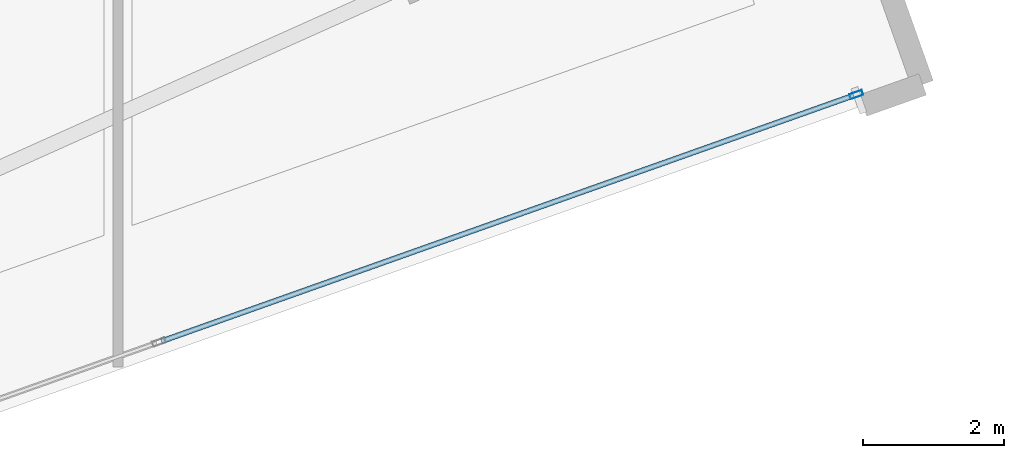
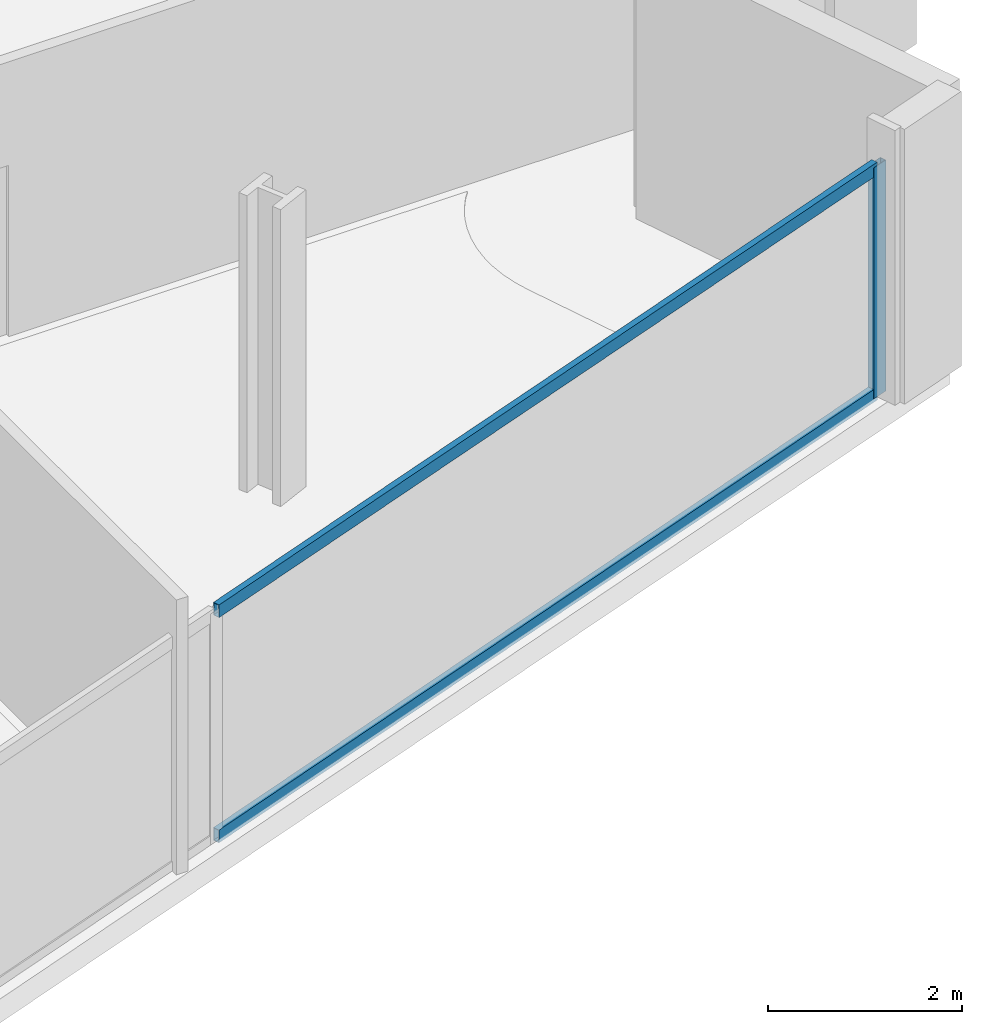
# One storey, part 10 of 33: 3 members, 1 element without a shape of its own.
"""IFC4 building model written with IfcOpenShell, lengths in metres."""

import ifcopenshell
import ifcopenshell.guid

model = None  # the IFC model being written
_history = None  # IfcOwnerHistory: only IFC2X3 demands one
_inside = {}  # id of a spatial element -> (the spatial element, [elements in it])
_under = {}  # id of a project, library or spatial element -> (it, [spatial elements below it])
_declared = {}  # id of a project -> (the project, [libraries it declares])
_typed = {}  # id of a type object -> (the type object, [elements of that type])
_made_of = {}  # id of a material, layer set ... -> (it, [elements and type objects made of it])


def new_model(schema):
    """Start an empty IFC model of exactly this schema.

    Asked for "IFC4X3", IfcOpenShell would pick the latest addendum, in which some entities
    have other attributes; the version numbers below select the first issue.
    IFC2X3 requires an IfcOwnerHistory on every rooted entity: one is made here for all.
    """
    global model, _history
    if schema == "IFC4X3":
        model = ifcopenshell.file(schema_version=(4, 3, 0, 0))
    else:
        model = ifcopenshell.file(schema=schema)
    _inside.clear()
    _under.clear()
    _declared.clear()
    _typed.clear()
    _made_of.clear()
    _history = None
    if model.schema == "IFC2X3":
        org = make("IfcOrganization", Name="unknown")
        user = make(
            "IfcPersonAndOrganization",
            ThePerson=make("IfcPerson", FamilyName="unknown"),
            TheOrganization=org,
        )
        app = make(
            "IfcApplication",
            ApplicationDeveloper=org,
            Version="unknown",
            ApplicationFullName="unknown",
            ApplicationIdentifier="unknown",
        )
        _history = make(
            "IfcOwnerHistory",
            OwningUser=user,
            OwningApplication=app,
            ChangeAction="ADDED",
            CreationDate=0,
        )
    return model


def make(cls, **values):
    """One entity of the class cls with the attributes given. An attribute that is None is left unset."""
    return model.create_entity(
        cls, **{name: value for name, value in values.items() if value is not None}
    )


def rooted(cls, **values):
    """An entity with a GlobalId (a new one), such as an element, a storey or a relation."""
    return make(cls, GlobalId=ifcopenshell.guid.new(), OwnerHistory=_history, **values)


def si_unit(unit_type, name, prefix=None):
    """IfcSIUnit, for example si_unit("LENGTHUNIT", "METRE", prefix="MILLI")."""
    return make("IfcSIUnit", UnitType=unit_type, Prefix=prefix, Name=name)


def assignment(units):
    """IfcUnitAssignment: the units of a project."""
    return None if units is None else make("IfcUnitAssignment", Units=units)


def point(xyz):
    """IfcCartesianPoint."""
    return None if xyz is None else make("IfcCartesianPoint", Coordinates=xyz)


def direction(xyz):
    """IfcDirection."""
    return None if xyz is None else make("IfcDirection", DirectionRatios=xyz)


def frame(location, z_axis=None, x_axis=None):
    """IfcAxis2Placement3D, a coordinate frame: its origin and axes. An axis left out is left unset."""
    return make(
        "IfcAxis2Placement3D",
        Location=point(location),
        Axis=direction(z_axis),
        RefDirection=direction(x_axis),
    )


def frame_2d(location, x_axis=None):
    """IfcAxis2Placement2D, a coordinate frame in the plane: its origin and x axis."""
    return make(
        "IfcAxis2Placement2D", Location=point(location), RefDirection=direction(x_axis)
    )


def origin():
    """The frame at (0, 0, 0) with its axes left unset."""
    return frame((0.0, 0.0, 0.0))


def origin_2d():
    """The frame at (0, 0) in the plane with its x axis left unset."""
    return frame_2d((0.0, 0.0))


def place(relative_to, where):
    """IfcLocalPlacement: puts the frame where relative to a parent placement (None: the world)."""
    return make(
        "IfcLocalPlacement", PlacementRelTo=relative_to, RelativePlacement=where
    )


def context(
    kind, dimensions, precision=None, world=None, true_north=None, identifier=None
):
    """IfcGeometricRepresentationContext, for example the 3D "Model" context."""
    return make(
        "IfcGeometricRepresentationContext",
        ContextIdentifier=identifier,
        ContextType=kind,
        CoordinateSpaceDimension=dimensions,
        Precision=precision,
        WorldCoordinateSystem=world,
        TrueNorth=true_north,
    )


def subcontext(parent, identifier, kind, view, scale=None):
    """IfcGeometricRepresentationSubContext, for example "Body" below "Model"."""
    return make(
        "IfcGeometricRepresentationSubContext",
        ContextIdentifier=identifier,
        ContextType=kind,
        ParentContext=parent,
        TargetScale=scale,
        TargetView=view,
    )


def project(units=None, contexts=None):
    """IfcProject with its units and contexts."""
    return rooted(
        "IfcProject",
        Name="project",
        RepresentationContexts=contexts,
        UnitsInContext=assignment(units),
    )


def spatial(cls, under=None, at=None, **own):
    """A site, building, storey or space (cls), placed at a placement, below another one or the project."""
    s = rooted(cls, ObjectPlacement=at, **own)
    if under is not None:
        _under.setdefault(under.id(), (under, []))[1].append(s)
    return s


def profile(cls, at=None, kind="AREA", **sizes):
    """A parametric profile (cls). Its sizes go by their IFC names, for example OverallWidth=200.0."""
    return make(cls, ProfileType=kind, Position=at, **sizes)


def hollow_rectangle(**sizes):
    """IfcRectangleHollowProfileDef."""
    return profile("IfcRectangleHollowProfileDef", **sizes)


def extrude(swept, where, along, depth):
    """IfcExtrudedAreaSolid: the profile swept, set in the frame where, extruded along a direction by depth."""
    return make(
        "IfcExtrudedAreaSolid",
        SweptArea=swept,
        Position=where,
        ExtrudedDirection=direction(along),
        Depth=depth,
    )


def shape(context_of_items, identifier, shape_type, items):
    """IfcShapeRepresentation: the items that make up one representation, for example the "Body"."""
    return make(
        "IfcShapeRepresentation",
        ContextOfItems=context_of_items,
        RepresentationIdentifier=identifier,
        RepresentationType=shape_type,
        Items=items,
    )


def material(Name=None, Category=None):
    """IfcMaterial."""
    return make("IfcMaterial", Name=Name, Category=Category)


def material_profile(
    of_material, cross_section, Name=None, Category=None, Priority=None
):
    """IfcMaterialProfile: a cross section and its material."""
    return make(
        "IfcMaterialProfile",
        Name=Name,
        Material=of_material,
        Profile=cross_section,
        Priority=Priority,
        Category=Category,
    )


def profile_set(profiles, Name=None, composite=None):
    """IfcMaterialProfileSet."""
    return make(
        "IfcMaterialProfileSet",
        Name=Name,
        MaterialProfiles=profiles,
        CompositeProfile=composite,
    )


def made_of(thing, what):
    """Note that an element or type object is made of a material, layer set ...; save() writes the relation."""
    if what is not None:
        _made_of.setdefault(what.id(), (what, []))[1].append(thing)
    return thing


def type_object(cls, material=None, **own):
    """A type object (cls), such as IfcWallType, which elements share."""
    return made_of(rooted(cls, **own), material)


def element(
    cls,
    number,
    at=None,
    inside=None,
    cuts=None,
    type_object=None,
    material=None,
    context=None,
    identifier="Body",
    shape_type=None,
    held_by="IfcProductDefinitionShape",
    body=None,
    shapes=None,
    **own,
):
    """One element of the class cls, such as IfcWall. Its Tag is "e" and its number.

    at: its placement. inside: the storey or other place that contains it. cuts: it is an
    opening in that element (IfcRelVoidsElement). A single representation is given by context,
    identifier, shape_type and body (its items); several are given by shapes. held_by: the class
    of the entity that holds the representations. save() writes the other relations.
    """
    e = rooted(cls, Tag="e%d" % number, ObjectPlacement=at, **own)
    if body is not None:
        shapes = [shape(context, identifier, shape_type, body)]
    if shapes is not None:
        e.Representation = make(held_by, Representations=shapes)
    if inside is not None:
        _inside.setdefault(inside.id(), (inside, []))[1].append(e)
    if cuts is not None:
        rooted(
            "IfcRelVoidsElement", RelatingBuildingElement=cuts, RelatedOpeningElement=e
        )
    if type_object is not None:
        _typed.setdefault(type_object.id(), (type_object, []))[1].append(e)
    return made_of(e, material)


def aggregate(whole, parts):
    """IfcRelAggregates: a whole, such as a stair, and the parts it consists of."""
    return rooted("IfcRelAggregates", RelatingObject=whole, RelatedObjects=parts)


def save(model, path):
    """Write the relations noted so far, then the file.

    IfcRelAggregates (storeys below a building ...), IfcRelContainedInSpatialStructure (elements
    in a storey), IfcRelDefinesByType, IfcRelAssociatesMaterial and IfcRelDeclares: one each for
    every whole, place, type object, material and project.
    """
    for whole, parts in _under.values():
        aggregate(whole, parts)
    for where, things in _inside.values():
        rooted(
            "IfcRelContainedInSpatialStructure",
            RelatedElements=things,
            RelatingStructure=where,
        )
    for kind, things in _typed.values():
        rooted("IfcRelDefinesByType", RelatedObjects=things, RelatingType=kind)
    for what, things in _made_of.values():
        rooted("IfcRelAssociatesMaterial", RelatedObjects=things, RelatingMaterial=what)
    for by, libraries in _declared.values():
        rooted("IfcRelDeclares", RelatingContext=by, RelatedDefinitions=libraries)
    model.write(path)


model = new_model("IFC4")

# Units and contexts
model_context = context("Model", 3, precision=1e-05, world=origin(), true_north=direction((0.0, 1.0)))
body_context = subcontext(model_context, "Body", "Model", "MODEL_VIEW")
ifc_project = project(units=[si_unit("LENGTHUNIT", "METRE"), si_unit("AREAUNIT", "SQUARE_METRE"), si_unit("VOLUMEUNIT", "CUBIC_METRE"), si_unit("PLANEANGLEUNIT", "RADIAN"), si_unit("MASSUNIT", "GRAM", prefix="KILO")], contexts=[model_context])

# Site, building, storey
site_placement = place(None, origin())
site = spatial("IfcSite", under=ifc_project, at=site_placement, CompositionType="ELEMENT")
building_placement = place(site_placement, origin())
building = spatial("IfcBuilding", under=site, at=building_placement, Name="Haldenkirk Collegiate Tower", CompositionType="ELEMENT")
storey_placement = place(building_placement, frame((0.0, 0.0, 94.199951171875)))
storey = spatial("IfcBuildingStorey", under=building, at=storey_placement, Name="L22", CompositionType="ELEMENT", Elevation=94.199951171875)

# Curtain wall, members
ifc_material = material(Name="Anodised architectural bronze aluminium", Category="aluminium")
curtain_wall_type = type_object("IfcCurtainWallType", Name="CW-SYS2-CONCAVE", PredefinedType="USERDEFINED", material=ifc_material)
curtain_wall_placement = place(storey_placement, origin())
curtain_wall = element("IfcCurtainWall", 1, at=curtain_wall_placement, inside=storey, type_object=curtain_wall_type, Name="L22 South concave recessed bronze-anodised curtain wall", ObjectType="UNITISED CURTAIN WALL", PredefinedType="USERDEFINED")
ifc_material_profile_1 = material_profile(ifc_material, hollow_rectangle(XDim=0.074951171875, YDim=0.18994140625, WallThickness=0.0048828125, at=origin_2d()), Name="CW-MUL-02")
ifc_profile_set_1 = profile_set([ifc_material_profile_1], Name="Anodised architectural bronze aluminium")
member_type_1 = type_object("IfcMemberType", Name="CW-MUL-02", PredefinedType="MULLION", material=ifc_profile_set_1)
member_1_placement = place(storey_placement, frame((63.986572265625, 10.130126953125, 0.0), z_axis=(0.0, 0.0, 1.0), x_axis=(0.334627839055, -0.942350364424, 0.0)))
member_1 = element("IfcMember", 2, at=member_1_placement, type_object=member_type_1, Name="CW-02 mullion 1", PredefinedType="MULLION", context=body_context, shape_type="SweptSolid", body=[
    extrude(hollow_rectangle(XDim=0.074951171875, YDim=0.18994140625, WallThickness=0.0048828125, at=origin_2d()), origin(), (0.0, 0.0, 1.0), 2.901123046875),
])
ifc_material_profile_2 = material_profile(ifc_material, hollow_rectangle(XDim=0.074951171875, YDim=0.159912109375, WallThickness=0.0048828125, at=origin_2d()), Name="CW-TRN-02")
ifc_profile_set_2 = profile_set([ifc_material_profile_2], Name="Anodised architectural bronze aluminium")
member_type_2 = type_object("IfcMemberType", Name="CW-TRN-02", PredefinedType="USERDEFINED", material=ifc_profile_set_2)
member_2_placement = place(storey_placement, frame((63.951171875, 10.11767578125, 0.03759765625), z_axis=(-0.942352102542, -0.334622944275, 0.0), x_axis=(0.334622944275, -0.942352102542, 0.0)))
member_2 = element("IfcMember", 3, at=member_2_placement, type_object=member_type_2, Name="CW-02 transom 1.1", ObjectType="TRANSOM", PredefinedType="USERDEFINED", context=body_context, shape_type="SweptSolid", body=[
    extrude(hollow_rectangle(XDim=0.074951171875, YDim=0.159912109375, WallThickness=0.0048828125, at=origin_2d()), origin(), (0.0, 0.0, 1.0), 10.437744140625),
])
member_3_placement = place(storey_placement, frame((63.951171875, 10.11767578125, 2.863525390625), z_axis=(-0.942352102542, -0.334622944275, 0.0), x_axis=(0.334622944275, -0.942352102542, 0.0)))
member_3 = element("IfcMember", 4, at=member_3_placement, type_object=member_type_2, Name="CW-02 transom 1.2", ObjectType="TRANSOM", PredefinedType="USERDEFINED", context=body_context, shape_type="SweptSolid", body=[
    extrude(hollow_rectangle(XDim=0.074951171875, YDim=0.159912109375, WallThickness=0.0048828125, at=origin_2d()), origin(), (0.0, 0.0, 1.0), 10.437744140625),
])
aggregate(curtain_wall, [member_1, member_2, member_3])

save(model, "model.ifc")
